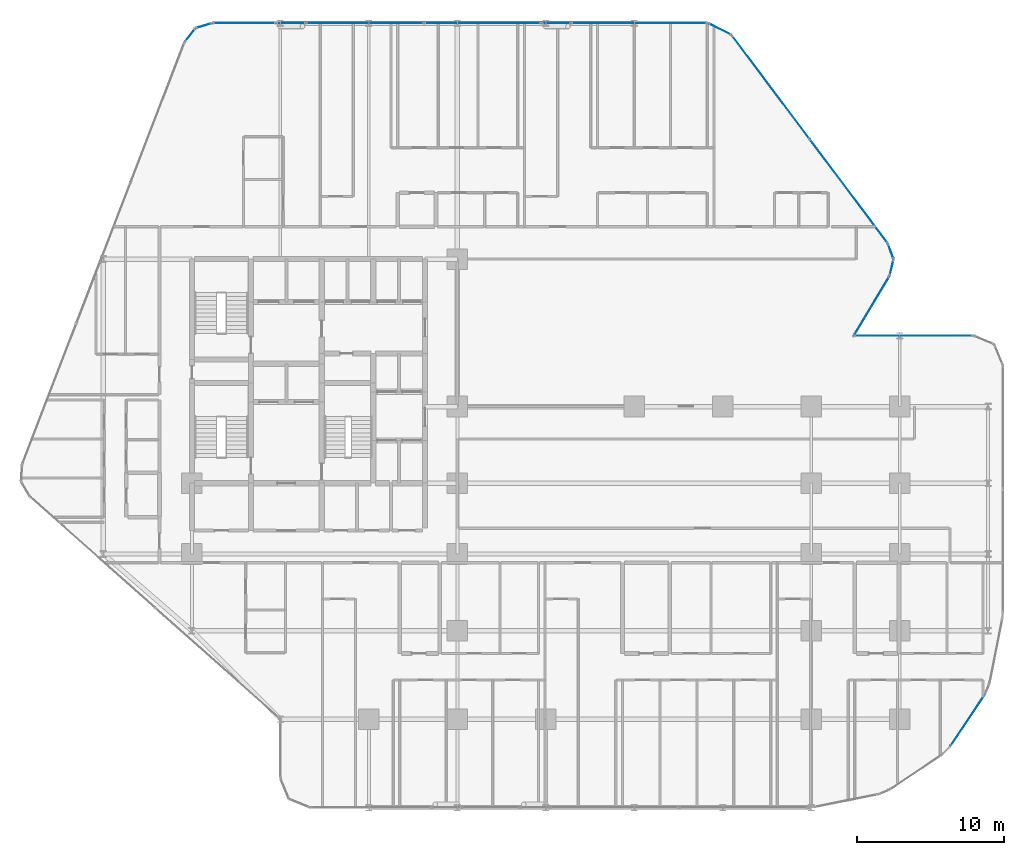
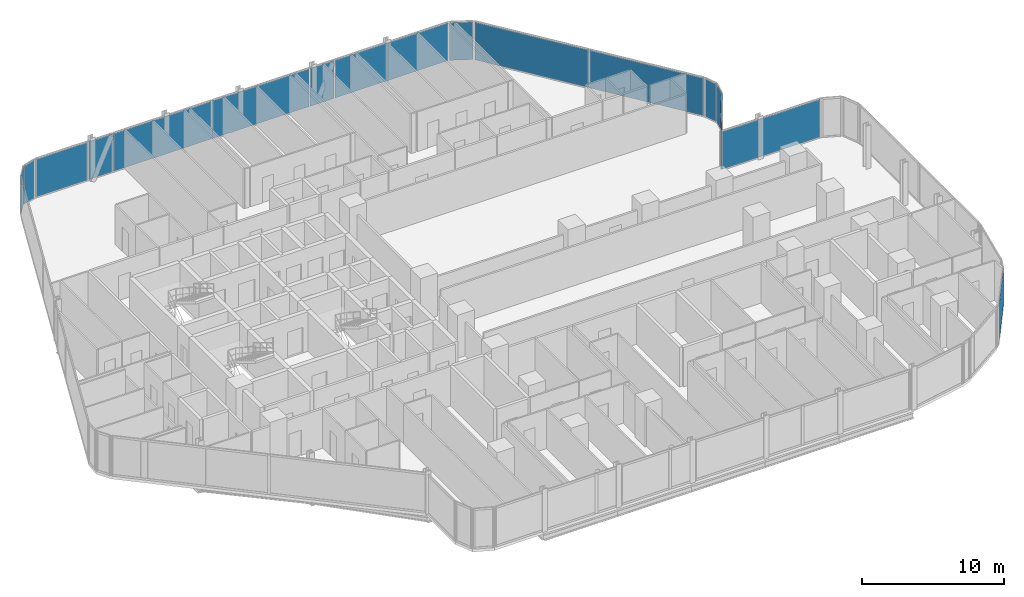
# One storey, part 24 of 33: 16 plates, 14 elements without a shape of their own.
"""IFC4 building model written with IfcOpenShell, lengths in metres."""

import ifcopenshell
import ifcopenshell.guid

model = None  # the IFC model being written
_history = None  # IfcOwnerHistory: only IFC2X3 demands one
_inside = {}  # id of a spatial element -> (the spatial element, [elements in it])
_under = {}  # id of a project, library or spatial element -> (it, [spatial elements below it])
_declared = {}  # id of a project -> (the project, [libraries it declares])
_typed = {}  # id of a type object -> (the type object, [elements of that type])
_made_of = {}  # id of a material, layer set ... -> (it, [elements and type objects made of it])


def new_model(schema):
    """Start an empty IFC model of exactly this schema.

    Asked for "IFC4X3", IfcOpenShell would pick the latest addendum, in which some entities
    have other attributes; the version numbers below select the first issue.
    IFC2X3 requires an IfcOwnerHistory on every rooted entity: one is made here for all.
    """
    global model, _history
    if schema == "IFC4X3":
        model = ifcopenshell.file(schema_version=(4, 3, 0, 0))
    else:
        model = ifcopenshell.file(schema=schema)
    _inside.clear()
    _under.clear()
    _declared.clear()
    _typed.clear()
    _made_of.clear()
    _history = None
    if model.schema == "IFC2X3":
        org = make("IfcOrganization", Name="unknown")
        user = make(
            "IfcPersonAndOrganization",
            ThePerson=make("IfcPerson", FamilyName="unknown"),
            TheOrganization=org,
        )
        app = make(
            "IfcApplication",
            ApplicationDeveloper=org,
            Version="unknown",
            ApplicationFullName="unknown",
            ApplicationIdentifier="unknown",
        )
        _history = make(
            "IfcOwnerHistory",
            OwningUser=user,
            OwningApplication=app,
            ChangeAction="ADDED",
            CreationDate=0,
        )
    return model


def make(cls, **values):
    """One entity of the class cls with the attributes given. An attribute that is None is left unset."""
    return model.create_entity(
        cls, **{name: value for name, value in values.items() if value is not None}
    )


def rooted(cls, **values):
    """An entity with a GlobalId (a new one), such as an element, a storey or a relation."""
    return make(cls, GlobalId=ifcopenshell.guid.new(), OwnerHistory=_history, **values)


def si_unit(unit_type, name, prefix=None):
    """IfcSIUnit, for example si_unit("LENGTHUNIT", "METRE", prefix="MILLI")."""
    return make("IfcSIUnit", UnitType=unit_type, Prefix=prefix, Name=name)


def assignment(units):
    """IfcUnitAssignment: the units of a project."""
    return None if units is None else make("IfcUnitAssignment", Units=units)


def point(xyz):
    """IfcCartesianPoint."""
    return None if xyz is None else make("IfcCartesianPoint", Coordinates=xyz)


def direction(xyz):
    """IfcDirection."""
    return None if xyz is None else make("IfcDirection", DirectionRatios=xyz)


def frame(location, z_axis=None, x_axis=None):
    """IfcAxis2Placement3D, a coordinate frame: its origin and axes. An axis left out is left unset."""
    return make(
        "IfcAxis2Placement3D",
        Location=point(location),
        Axis=direction(z_axis),
        RefDirection=direction(x_axis),
    )


def frame_2d(location, x_axis=None):
    """IfcAxis2Placement2D, a coordinate frame in the plane: its origin and x axis."""
    return make(
        "IfcAxis2Placement2D", Location=point(location), RefDirection=direction(x_axis)
    )


def origin():
    """The frame at (0, 0, 0) with its axes left unset."""
    return frame((0.0, 0.0, 0.0))


def origin_2d():
    """The frame at (0, 0) in the plane with its x axis left unset."""
    return frame_2d((0.0, 0.0))


def place(relative_to, where):
    """IfcLocalPlacement: puts the frame where relative to a parent placement (None: the world)."""
    return make(
        "IfcLocalPlacement", PlacementRelTo=relative_to, RelativePlacement=where
    )


def context(
    kind, dimensions, precision=None, world=None, true_north=None, identifier=None
):
    """IfcGeometricRepresentationContext, for example the 3D "Model" context."""
    return make(
        "IfcGeometricRepresentationContext",
        ContextIdentifier=identifier,
        ContextType=kind,
        CoordinateSpaceDimension=dimensions,
        Precision=precision,
        WorldCoordinateSystem=world,
        TrueNorth=true_north,
    )


def subcontext(parent, identifier, kind, view, scale=None):
    """IfcGeometricRepresentationSubContext, for example "Body" below "Model"."""
    return make(
        "IfcGeometricRepresentationSubContext",
        ContextIdentifier=identifier,
        ContextType=kind,
        ParentContext=parent,
        TargetScale=scale,
        TargetView=view,
    )


def project(units=None, contexts=None):
    """IfcProject with its units and contexts."""
    return rooted(
        "IfcProject",
        Name="project",
        RepresentationContexts=contexts,
        UnitsInContext=assignment(units),
    )


def spatial(cls, under=None, at=None, **own):
    """A site, building, storey or space (cls), placed at a placement, below another one or the project."""
    s = rooted(cls, ObjectPlacement=at, **own)
    if under is not None:
        _under.setdefault(under.id(), (under, []))[1].append(s)
    return s


def profile(cls, at=None, kind="AREA", **sizes):
    """A parametric profile (cls). Its sizes go by their IFC names, for example OverallWidth=200.0."""
    return make(cls, ProfileType=kind, Position=at, **sizes)


def rectangle(**sizes):
    """IfcRectangleProfileDef."""
    return profile("IfcRectangleProfileDef", **sizes)


def extrude(swept, where, along, depth):
    """IfcExtrudedAreaSolid: the profile swept, set in the frame where, extruded along a direction by depth."""
    return make(
        "IfcExtrudedAreaSolid",
        SweptArea=swept,
        Position=where,
        ExtrudedDirection=direction(along),
        Depth=depth,
    )


def shape(context_of_items, identifier, shape_type, items):
    """IfcShapeRepresentation: the items that make up one representation, for example the "Body"."""
    return make(
        "IfcShapeRepresentation",
        ContextOfItems=context_of_items,
        RepresentationIdentifier=identifier,
        RepresentationType=shape_type,
        Items=items,
    )


def material(Name=None, Category=None):
    """IfcMaterial."""
    return make("IfcMaterial", Name=Name, Category=Category)


def layer(
    of_material, thickness, ventilated=None, Name=None, Category=None, Priority=None
):
    """IfcMaterialLayer: one layer of a wall or slab, of a material (None: an air gap)."""
    return make(
        "IfcMaterialLayer",
        Material=of_material,
        LayerThickness=thickness,
        IsVentilated=ventilated,
        Name=Name,
        Category=Category,
        Priority=Priority,
    )


def layer_set(layers, Name=None):
    """IfcMaterialLayerSet."""
    return make("IfcMaterialLayerSet", MaterialLayers=layers, LayerSetName=Name)


def made_of(thing, what):
    """Note that an element or type object is made of a material, layer set ...; save() writes the relation."""
    if what is not None:
        _made_of.setdefault(what.id(), (what, []))[1].append(thing)
    return thing


def type_object(cls, material=None, **own):
    """A type object (cls), such as IfcWallType, which elements share."""
    return made_of(rooted(cls, **own), material)


def element(
    cls,
    number,
    at=None,
    inside=None,
    cuts=None,
    type_object=None,
    material=None,
    context=None,
    identifier="Body",
    shape_type=None,
    held_by="IfcProductDefinitionShape",
    body=None,
    shapes=None,
    **own,
):
    """One element of the class cls, such as IfcWall. Its Tag is "e" and its number.

    at: its placement. inside: the storey or other place that contains it. cuts: it is an
    opening in that element (IfcRelVoidsElement). A single representation is given by context,
    identifier, shape_type and body (its items); several are given by shapes. held_by: the class
    of the entity that holds the representations. save() writes the other relations.
    """
    e = rooted(cls, Tag="e%d" % number, ObjectPlacement=at, **own)
    if body is not None:
        shapes = [shape(context, identifier, shape_type, body)]
    if shapes is not None:
        e.Representation = make(held_by, Representations=shapes)
    if inside is not None:
        _inside.setdefault(inside.id(), (inside, []))[1].append(e)
    if cuts is not None:
        rooted(
            "IfcRelVoidsElement", RelatingBuildingElement=cuts, RelatedOpeningElement=e
        )
    if type_object is not None:
        _typed.setdefault(type_object.id(), (type_object, []))[1].append(e)
    return made_of(e, material)


def aggregate(whole, parts):
    """IfcRelAggregates: a whole, such as a stair, and the parts it consists of."""
    return rooted("IfcRelAggregates", RelatingObject=whole, RelatedObjects=parts)


def save(model, path):
    """Write the relations noted so far, then the file.

    IfcRelAggregates (storeys below a building ...), IfcRelContainedInSpatialStructure (elements
    in a storey), IfcRelDefinesByType, IfcRelAssociatesMaterial and IfcRelDeclares: one each for
    every whole, place, type object, material and project.
    """
    for whole, parts in _under.values():
        aggregate(whole, parts)
    for where, things in _inside.values():
        rooted(
            "IfcRelContainedInSpatialStructure",
            RelatedElements=things,
            RelatingStructure=where,
        )
    for kind, things in _typed.values():
        rooted("IfcRelDefinesByType", RelatedObjects=things, RelatingType=kind)
    for what, things in _made_of.values():
        rooted("IfcRelAssociatesMaterial", RelatedObjects=things, RelatingMaterial=what)
    for by, libraries in _declared.values():
        rooted("IfcRelDeclares", RelatingContext=by, RelatedDefinitions=libraries)
    model.write(path)


model = new_model("IFC4")

# Units and contexts
model_context = context("Model", 3, precision=1e-05, world=origin(), true_north=direction((0.0, 1.0)))
body_context = subcontext(model_context, "Body", "Model", "MODEL_VIEW")
ifc_project = project(units=[si_unit("LENGTHUNIT", "METRE"), si_unit("AREAUNIT", "SQUARE_METRE"), si_unit("VOLUMEUNIT", "CUBIC_METRE"), si_unit("PLANEANGLEUNIT", "RADIAN"), si_unit("MASSUNIT", "GRAM", prefix="KILO")], contexts=[model_context])

# Site, building, storey
site_placement = place(None, origin())
site = spatial("IfcSite", under=ifc_project, at=site_placement, CompositionType="ELEMENT")
building_placement = place(site_placement, origin())
building = spatial("IfcBuilding", under=site, at=building_placement, Name="Keshet Zoharim Tower", CompositionType="ELEMENT")
storey_placement = place(building_placement, frame((0.0, 0.0, 35.10009765625)))
storey = spatial("IfcBuildingStorey", under=building, at=storey_placement, Name="L07", CompositionType="ELEMENT", Elevation=35.10009765625)

# Curtain wall, plate
ifc_material_1 = material(Name="Aluminium 6063-T6", Category="aluminium")
ifc_layer_1 = layer(ifc_material_1, 0.179931640625)
ifc_layer_set_1 = layer_set([ifc_layer_1], Name="Aluminium 6063-T6")
curtain_wall_type_1 = type_object("IfcCurtainWallType", Name="CW-SYS-01", PredefinedType="NOTDEFINED", material=ifc_layer_set_1)
curtain_wall_1_placement = place(storey_placement, origin())
curtain_wall_1 = element("IfcCurtainWall", 1, at=curtain_wall_1_placement, inside=storey, type_object=curtain_wall_type_1, Name="L07 Unitised Curtain Wall 05", PredefinedType="NOTDEFINED")
ifc_material_2 = material(Name="Insulated Low-E Clear Glass", Category="glass")
ifc_layer_2 = layer(ifc_material_2, 0.035888671875)
ifc_layer_set_2 = layer_set([ifc_layer_2], Name="Insulated Low-E Clear Glass")
plate_type_1 = type_object("IfcPlateType", Name="CWP-01", PredefinedType="CURTAIN_PANEL", material=ifc_layer_set_2)
plate_1_placement = place(storey_placement, frame((14.8740234375, 53.08349609375, 0.06982421875), z_axis=(0.0, 0.0, 1.0), x_axis=(0.619124525989, 0.785292825205, 0.0)))
plate_1 = element("IfcPlate", 2, at=plate_1_placement, type_object=plate_type_1, Name="CW-01 panel 1.1", PredefinedType="CURTAIN_PANEL", context=body_context, shape_type="SweptSolid", body=[
    extrude(rectangle(XDim=1.045654296875, YDim=0.035888671875, at=origin_2d()), origin(), (0.0, 0.0, 1.0), 3.2451171875),
])
aggregate(curtain_wall_1, [plate_1])

curtain_wall_2_placement = place(storey_placement, origin())
curtain_wall_2 = element("IfcCurtainWall", 3, at=curtain_wall_2_placement, inside=storey, type_object=curtain_wall_type_1, Name="L07 Unitised Curtain Wall 06", PredefinedType="NOTDEFINED")
plate_2_placement = place(storey_placement, frame((15.8076171875, 53.724609375, 0.06982421875), z_axis=(0.0, 0.0, 1.0), x_axis=(0.955212151288, 0.295921857984, 0.0)))
plate_2 = element("IfcPlate", 4, at=plate_2_placement, type_object=plate_type_1, Name="CW-01 panel 1.1", PredefinedType="CURTAIN_PANEL", context=body_context, shape_type="SweptSolid", body=[
    extrude(rectangle(XDim=1.046142578125, YDim=0.035888671875, at=origin_2d()), origin(), (0.0, 0.0, 1.0), 3.2451171875),
])
aggregate(curtain_wall_2, [plate_2])

curtain_wall_3_placement = place(storey_placement, origin())
curtain_wall_3 = element("IfcCurtainWall", 5, at=curtain_wall_3_placement, inside=storey, type_object=curtain_wall_type_1, Name="L07 Unitised Curtain Wall 12", PredefinedType="NOTDEFINED")
plate_3_placement = place(storey_placement, frame((61.093994140625, 34.723388671875, 0.06982421875), z_axis=(0.0, 0.0, 1.0), x_axis=(-0.51446459506, -0.857511621163, 0.0)))
plate_3 = element("IfcPlate", 6, at=plate_3_placement, type_object=plate_type_1, Name="CW-01 panel 1.1", PredefinedType="CURTAIN_PANEL", context=body_context, shape_type="SweptSolid", body=[
    extrude(rectangle(XDim=4.57958984375, YDim=0.035888671875, at=origin_2d()), origin(), (0.0, 0.0, 1.0), 3.2451171875),
])
aggregate(curtain_wall_3, [plate_3])

curtain_wall_4_placement = place(storey_placement, origin())
curtain_wall_4 = element("IfcCurtainWall", 7, at=curtain_wall_4_placement, inside=storey, type_object=curtain_wall_type_1, Name="L07 Unitised Curtain Wall 20", PredefinedType="NOTDEFINED")
plate_4_placement = place(storey_placement, frame((67.60107421875, 6.615966796875, 0.06982421875), z_axis=(0.0, 0.0, 1.0), x_axis=(-0.555563243758, -0.831474282335, 0.0)))
plate_4 = element("IfcPlate", 8, at=plate_4_placement, type_object=plate_type_1, Name="CW-01 panel 1.1", PredefinedType="CURTAIN_PANEL", context=body_context, shape_type="SweptSolid", body=[
    extrude(rectangle(XDim=4.13671875, YDim=0.035888671875, at=origin_2d()), origin(), (0.0, 0.0, 1.0), 3.2451171875),
])
aggregate(curtain_wall_4, [plate_4])

ifc_layer_3 = layer(ifc_material_1, 0.169921875)
ifc_layer_set_3 = layer_set([ifc_layer_3], Name="Aluminium 6063-T6")
curtain_wall_type_2 = type_object("IfcCurtainWallType", Name="CW-SYS-02", PredefinedType="NOTDEFINED", material=ifc_layer_set_3)
curtain_wall_5_placement = place(storey_placement, origin())
curtain_wall_5 = element("IfcCurtainWall", 9, at=curtain_wall_5_placement, inside=storey, type_object=curtain_wall_type_2, Name="L07 Unitised Curtain Wall 07", PredefinedType="NOTDEFINED")
ifc_layer_4 = layer(ifc_material_2, 0.031982421875)
ifc_layer_set_4 = layer_set([ifc_layer_4], Name="Insulated Low-E Clear Glass")
plate_type_2 = type_object("IfcPlateType", Name="CWP-02", PredefinedType="CURTAIN_PANEL", material=ifc_layer_set_4)
plate_5_placement = place(storey_placement, frame((18.5556640625, 53.89990234375, 0.06982421875), z_axis=(0.0, 0.0, 1.0), x_axis=(1.0, 0.0, 0.0)))
plate_5 = element("IfcPlate", 10, at=plate_5_placement, type_object=plate_type_2, Name="CW-02 panel 1.1", PredefinedType="CURTAIN_PANEL", context=body_context, shape_type="SweptSolid", body=[
    extrude(rectangle(XDim=4.223388671875, YDim=0.031982421875, at=origin_2d()), origin(), (0.0, 0.0, 1.0), 3.2451171875),
])
aggregate(curtain_wall_5, [plate_5])

# Curtain wall, plates
curtain_wall_6_placement = place(storey_placement, origin())
curtain_wall_6 = element("IfcCurtainWall", 11, at=curtain_wall_6_placement, inside=storey, type_object=curtain_wall_type_2, Name="L07 Unitised Curtain Wall 07 Part 3", PredefinedType="NOTDEFINED")
plate_6_placement = place(storey_placement, frame((26.73876953125, 53.89990234375, 0.06982421875), z_axis=(0.0, 0.0, 1.0), x_axis=(1.0, 0.0, 0.0)))
plate_6 = element("IfcPlate", 12, at=plate_6_placement, type_object=plate_type_2, Name="CW-02 panel 1.1", PredefinedType="CURTAIN_PANEL", context=body_context, shape_type="SweptSolid", body=[
    extrude(rectangle(XDim=7.952392578125, YDim=0.031982421875, at=origin_2d()), origin(), (0.0, 0.0, 1.0), 3.2451171875),
])
plate_7_placement = place(storey_placement, frame((34.726318359375, 53.89990234375, 0.06982421875), z_axis=(0.0, 0.0, 1.0), x_axis=(1.0, 0.0, 0.0)))
plate_7 = element("IfcPlate", 13, at=plate_7_placement, type_object=plate_type_2, Name="CW-02 panel 2.1", PredefinedType="CURTAIN_PANEL", context=body_context, shape_type="SweptSolid", body=[
    extrude(rectangle(XDim=7.88232421875, YDim=0.031982421875, at=origin_2d()), origin(), (0.0, 0.0, 1.0), 3.2451171875),
])
aggregate(curtain_wall_6, [plate_6, plate_7])

# Curtain wall, plate
curtain_wall_7_placement = place(storey_placement, origin())
curtain_wall_7 = element("IfcCurtainWall", 14, at=curtain_wall_7_placement, inside=storey, type_object=curtain_wall_type_2, Name="L07 Unitised Curtain Wall 07 Part 5", PredefinedType="NOTDEFINED")
plate_8_placement = place(storey_placement, frame((45.34619140625, 53.89990234375, 0.06982421875), z_axis=(0.0, 0.0, 1.0), x_axis=(1.0, 0.0, 0.0)))
plate_8 = element("IfcPlate", 15, at=plate_8_placement, type_object=plate_type_2, Name="CW-02 panel 1.1", PredefinedType="CURTAIN_PANEL", context=body_context, shape_type="SweptSolid", body=[
    extrude(rectangle(XDim=9.16748046875, YDim=0.031982421875, at=origin_2d()), origin(), (0.0, 0.0, 1.0), 3.2451171875),
])
aggregate(curtain_wall_7, [plate_8])

curtain_wall_8_placement = place(storey_placement, origin())
curtain_wall_8 = element("IfcCurtainWall", 16, at=curtain_wall_8_placement, inside=storey, type_object=curtain_wall_type_2, Name="L07 Unitised Curtain Wall 08", PredefinedType="NOTDEFINED")
plate_9_placement = place(storey_placement, frame((50.800048828125, 53.5, 0.06982421875), z_axis=(0.0, 0.0, 1.0), x_axis=(0.894427191001, -0.447213595499, 0.0)))
plate_9 = element("IfcPlate", 17, at=plate_9_placement, type_object=plate_type_2, Name="CW-02 panel 1.1", PredefinedType="CURTAIN_PANEL", context=body_context, shape_type="SweptSolid", body=[
    extrude(rectangle(XDim=1.64892578125, YDim=0.031982421875, at=origin_2d()), origin(), (0.0, 0.0, 1.0), 3.2451171875),
])
aggregate(curtain_wall_8, [plate_9])

# Curtain wall, plates
curtain_wall_9_placement = place(storey_placement, origin())
curtain_wall_9 = element("IfcCurtainWall", 18, at=curtain_wall_9_placement, inside=storey, type_object=curtain_wall_type_2, Name="L07 Unitised Curtain Wall 09", PredefinedType="NOTDEFINED")
plate_10_placement = place(storey_placement, frame((54.2587890625, 49.554931640625, 0.06982421875), z_axis=(0.0, 0.0, 1.0), x_axis=(0.600000000002, -0.799999999998, 0.0)))
plate_10 = element("IfcPlate", 19, at=plate_10_placement, type_object=plate_type_2, Name="CW-02 panel 1.1", PredefinedType="CURTAIN_PANEL", context=body_context, shape_type="SweptSolid", body=[
    extrude(rectangle(XDim=8.722412109375, YDim=0.031982421875, at=origin_2d()), origin(), (0.0, 0.0, 1.0), 3.2451171875),
])
plate_11_placement = place(storey_placement, frame((59.5341796875, 42.52099609375, 0.06982421875), z_axis=(0.0, 0.0, 1.0), x_axis=(0.600000000002, -0.799999999998, 0.0)))
plate_11 = element("IfcPlate", 20, at=plate_11_placement, type_object=plate_type_2, Name="CW-02 panel 2.1", PredefinedType="CURTAIN_PANEL", context=body_context, shape_type="SweptSolid", body=[
    extrude(rectangle(XDim=8.722412109375, YDim=0.031982421875, at=origin_2d()), origin(), (0.0, 0.0, 1.0), 3.2451171875),
])
aggregate(curtain_wall_9, [plate_10, plate_11])

# Curtain wall, plate
curtain_wall_10_placement = place(storey_placement, origin())
curtain_wall_10 = element("IfcCurtainWall", 21, at=curtain_wall_10_placement, inside=storey, type_object=curtain_wall_type_2, Name="L07 Unitised Curtain Wall 10", PredefinedType="NOTDEFINED")
plate_12_placement = place(storey_placement, frame((62.3916015625, 38.427490234375, 0.06982421875), z_axis=(0.0, 0.0, 1.0), x_axis=(0.340297354046, -0.940317877544, 0.0)))
plate_12 = element("IfcPlate", 22, at=plate_12_placement, type_object=plate_type_2, Name="CW-02 panel 1.1", PredefinedType="CURTAIN_PANEL", context=body_context, shape_type="SweptSolid", body=[
    extrude(rectangle(XDim=1.026611328125, YDim=0.031982421875, at=origin_2d()), origin(), (0.0, 0.0, 1.0), 3.2451171875),
])
aggregate(curtain_wall_10, [plate_12])

curtain_wall_11_placement = place(storey_placement, origin())
curtain_wall_11 = element("IfcCurtainWall", 23, at=curtain_wall_11_placement, inside=storey, type_object=curtain_wall_type_2, Name="L07 Unitised Curtain Wall 11", PredefinedType="NOTDEFINED")
plate_13_placement = place(storey_placement, frame((62.448974609375, 37.31298828125, 0.06982421875), z_axis=(0.0, 0.0, 1.0), x_axis=(-0.241728770141, -0.970343857447, 0.0)))
plate_13 = element("IfcPlate", 24, at=plate_13_placement, type_object=plate_type_2, Name="CW-02 panel 1.1", PredefinedType="CURTAIN_PANEL", context=body_context, shape_type="SweptSolid", body=[
    extrude(rectangle(XDim=1.026611328125, YDim=0.031982421875, at=origin_2d()), origin(), (0.0, 0.0, 1.0), 3.2451171875),
])
aggregate(curtain_wall_11, [plate_13])

curtain_wall_12_placement = place(storey_placement, origin())
curtain_wall_12 = element("IfcCurtainWall", 25, at=curtain_wall_12_placement, inside=storey, type_object=curtain_wall_type_2, Name="L07 Unitised Curtain Wall 13", PredefinedType="NOTDEFINED")
plate_14_placement = place(storey_placement, frame((63.93994140625, 32.699951171875, 0.06982421875), z_axis=(0.0, 0.0, 1.0), x_axis=(1.0, 0.0, 0.0)))
plate_14 = element("IfcPlate", 26, at=plate_14_placement, type_object=plate_type_2, Name="CW-02 panel 1.1", PredefinedType="CURTAIN_PANEL", context=body_context, shape_type="SweptSolid", body=[
    extrude(rectangle(XDim=7.97998046875, YDim=0.031982421875, at=origin_2d()), origin(), (0.0, 0.0, 1.0), 3.2451171875),
])
aggregate(curtain_wall_12, [plate_14])

curtain_wall_13_placement = place(storey_placement, origin())
curtain_wall_13 = element("IfcCurtainWall", 27, at=curtain_wall_13_placement, inside=storey, type_object=curtain_wall_type_2, Name="L07 Unitised Curtain Wall 07 Part 2", PredefinedType="NOTDEFINED")
ifc_material_3 = material(Name="Insulated Aluminium Spandrel Panel", Category="aluminium")
ifc_layer_5 = layer(ifc_material_3, 0.031982421875)
ifc_layer_set_5 = layer_set([ifc_layer_5], Name="Insulated Aluminium Spandrel Panel")
plate_type_3 = type_object("IfcPlateType", Name="CWP-05", PredefinedType="CURTAIN_PANEL", material=ifc_layer_set_5)
plate_15_placement = place(storey_placement, frame((21.715087890625, 53.89990234375, 0.06982421875), z_axis=(0.0, 0.0, 1.0), x_axis=(1.0, 0.0, 0.0)))
plate_15 = element("IfcPlate", 28, at=plate_15_placement, type_object=plate_type_3, Name="CW-02 spandrel panel 1.1", PredefinedType="CURTAIN_PANEL", context=body_context, shape_type="SweptSolid", body=[
    extrude(rectangle(XDim=1.955078125, YDim=0.031982421875, at=origin_2d()), origin(), (0.0, 0.0, 1.0), 3.2451171875),
])
aggregate(curtain_wall_13, [plate_15])

curtain_wall_14_placement = place(storey_placement, origin())
curtain_wall_14 = element("IfcCurtainWall", 29, at=curtain_wall_14_placement, inside=storey, type_object=curtain_wall_type_2, Name="L07 Unitised Curtain Wall 07 Part 4", PredefinedType="NOTDEFINED")
plate_16_placement = place(storey_placement, frame((39.715087890625, 53.89990234375, 0.06982421875), z_axis=(0.0, 0.0, 1.0), x_axis=(1.0, 0.0, 0.0)))
plate_16 = element("IfcPlate", 30, at=plate_16_placement, type_object=plate_type_3, Name="CW-02 spandrel panel 1.1", PredefinedType="CURTAIN_PANEL", context=body_context, shape_type="SweptSolid", body=[
    extrude(rectangle(XDim=1.955078125, YDim=0.031982421875, at=origin_2d()), origin(), (0.0, 0.0, 1.0), 3.2451171875),
])
aggregate(curtain_wall_14, [plate_16])

save(model, "model.ifc")
